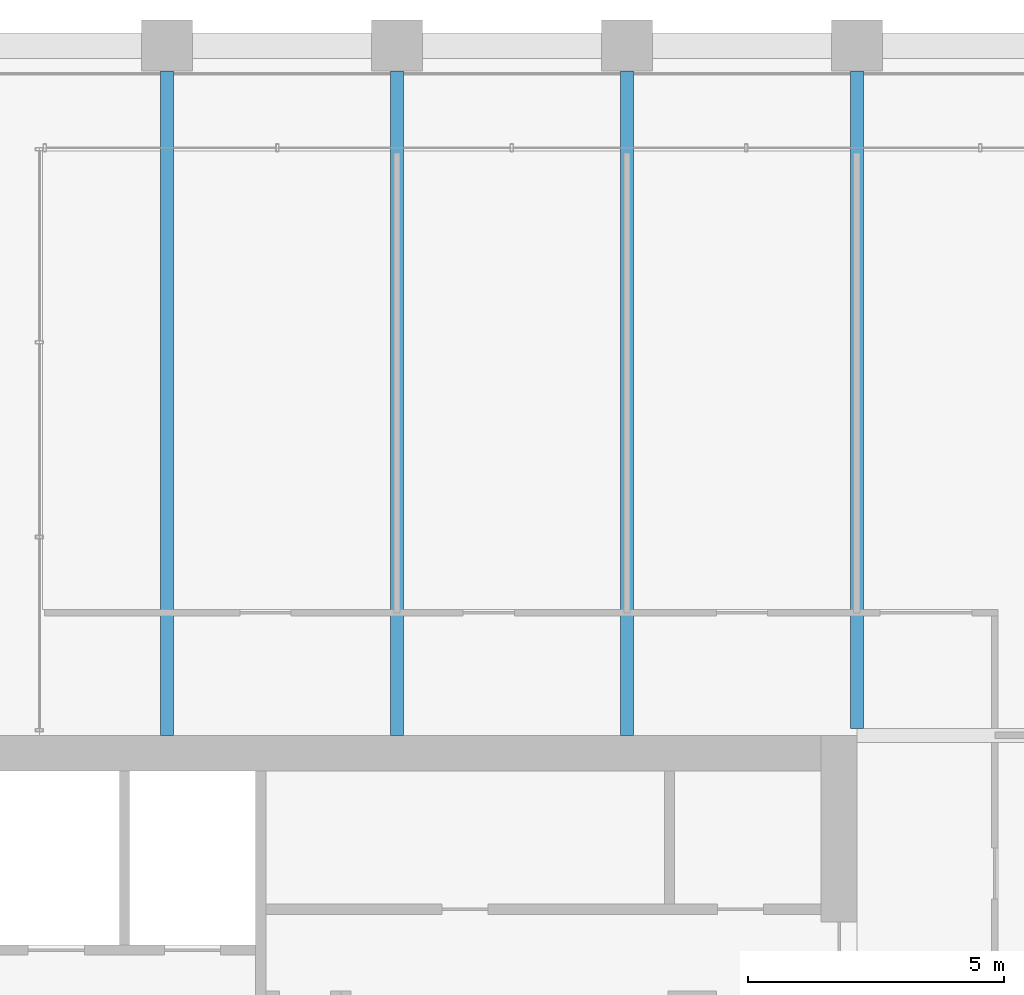
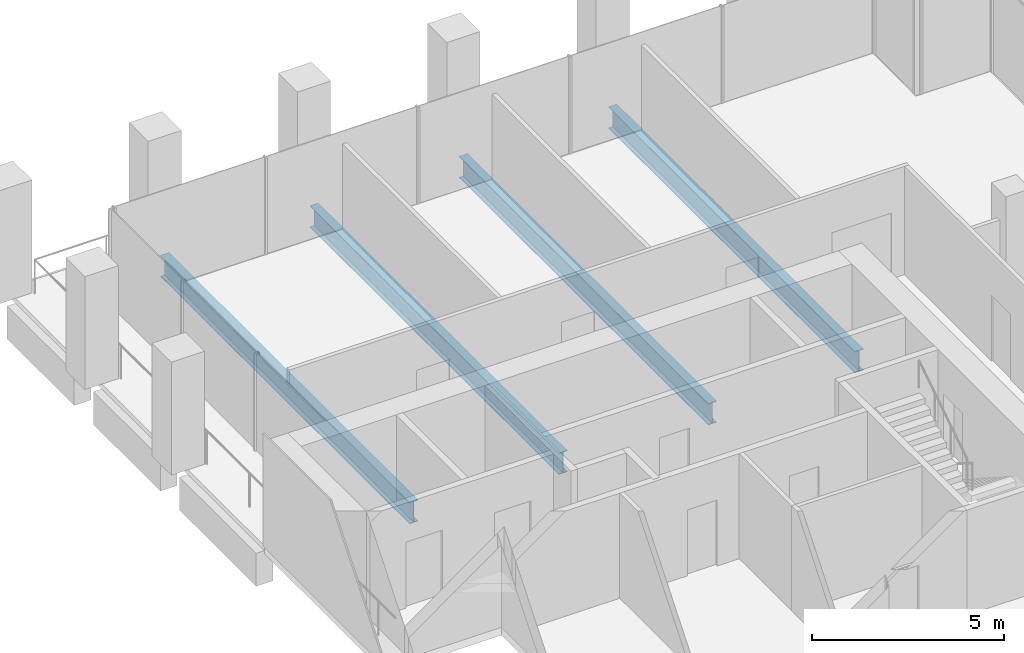
# One storey, part 22 of 47: 4 beams.
"""IFC4 building model written with IfcOpenShell, lengths in metres."""

from ifc_helpers import new_model, si_unit, direction, frame, origin, origin_2d, place, context, subcontext, project, spatial, i_section, extrude, material, material_profile, profile_set, type_object, element, save


model = new_model("IFC4")

# Units and contexts
model_context = context("Model", 3, precision=1e-05, world=origin(), true_north=direction((0.0, 1.0)))
body_context = subcontext(model_context, "Body", "Model", "MODEL_VIEW")
ifc_project = project(units=[si_unit("LENGTHUNIT", "METRE"), si_unit("AREAUNIT", "SQUARE_METRE"), si_unit("VOLUMEUNIT", "CUBIC_METRE"), si_unit("PLANEANGLEUNIT", "RADIAN"), si_unit("MASSUNIT", "GRAM", prefix="KILO")], contexts=[model_context])

# Site, building, storey
site_placement = place(None, origin())
site = spatial("IfcSite", under=ifc_project, at=site_placement, CompositionType="ELEMENT")
building_placement = place(site_placement, origin())
building = spatial("IfcBuilding", under=site, at=building_placement, Name="Altepetl Exchange Towers", CompositionType="ELEMENT")
storey_placement = place(building_placement, frame((0.0, 0.0, 95.60009765625)))
storey = spatial("IfcBuildingStorey", under=building, at=storey_placement, Name="L23", CompositionType="ELEMENT", Elevation=95.60009765625)

# Beams
ifc_material = material(Name="Steel S355", Category="steel")
ifc_material_profile = material_profile(ifc_material, i_section(OverallWidth=0.25390625, OverallDepth=0.68408203125, WebThickness=0.012451171875, FlangeThickness=0.018798828125, at=origin_2d()), Name="W27X94")
ifc_profile_set = profile_set([ifc_material_profile], Name="Steel S355")
beam_type = type_object("IfcBeamType", Name="Floor beam W27X94", PredefinedType="BEAM", material=ifc_profile_set)
for number, where, z_axis, x_axis, name in (
    (1, (45.0, 58.5, -0.4921875), (0.0, 1.0, 0.0), (-1.0, 0.0, 0.0), "bm:A:L23:000"),
    (2, (49.5, 58.5, -0.4921875), (0.0, 1.0, 0.0), (-1.0, 0.0, 0.0), "bm:A:L23:001"),
    (3, (54.0, 58.5, -0.4921875), (0.0, 1.0, 0.0), (-1.0, 0.0, 0.0), "bm:A:L23:002"),
):
    element("IfcBeam", number, at=place(storey_placement, frame(where, z_axis=z_axis, x_axis=x_axis)), inside=storey, type_object=beam_type, Name=name, PredefinedType="BEAM", context=body_context, shape_type="SweptSolid", body=[
        extrude(i_section(OverallWidth=0.25390625, OverallDepth=0.68408203125, WebThickness=0.012451171875, FlangeThickness=0.018798828125, at=origin_2d()), origin(), (0.0, 0.0, 1.0), 13.0),
    ])
beam_placement = place(storey_placement, frame((58.5, 58.634033203125, -0.4921875), z_axis=(0.0, 1.0, 0.0), x_axis=(-1.0, 0.0, 0.0)))
element("IfcBeam", 4, at=beam_placement, inside=storey, type_object=beam_type, Name="bm:A:L23:003", PredefinedType="BEAM", context=body_context, shape_type="SweptSolid", body=[
    extrude(i_section(OverallWidth=0.25390625, OverallDepth=0.68408203125, WebThickness=0.012451171875, FlangeThickness=0.018798828125, at=origin_2d()), origin(), (0.0, 0.0, 1.0), 12.865966796875),
])

save(model, "model.ifc")
